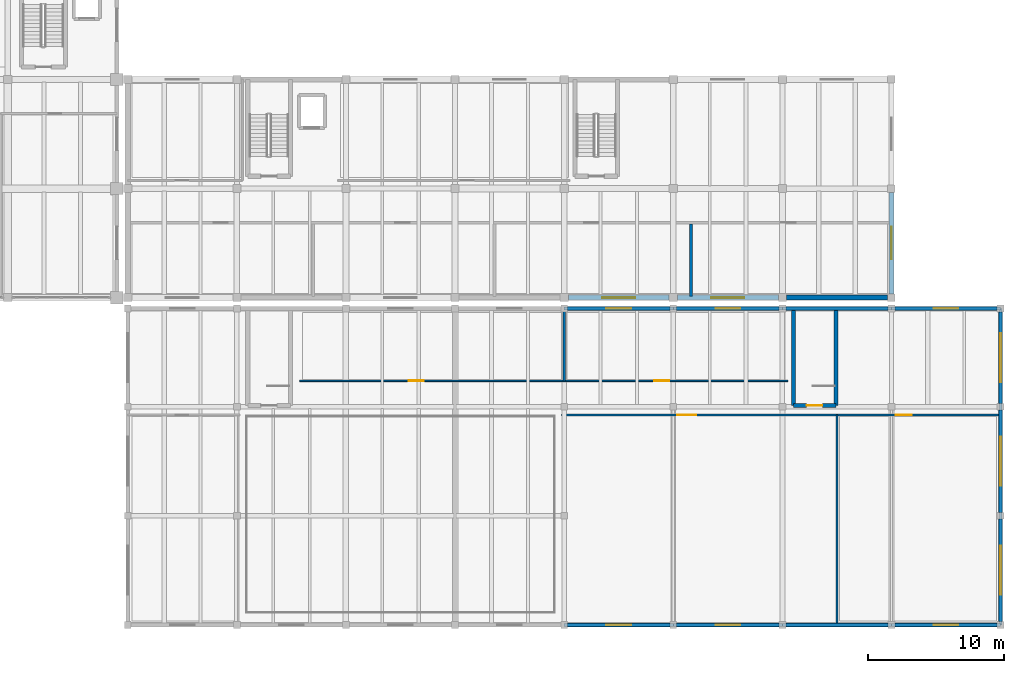
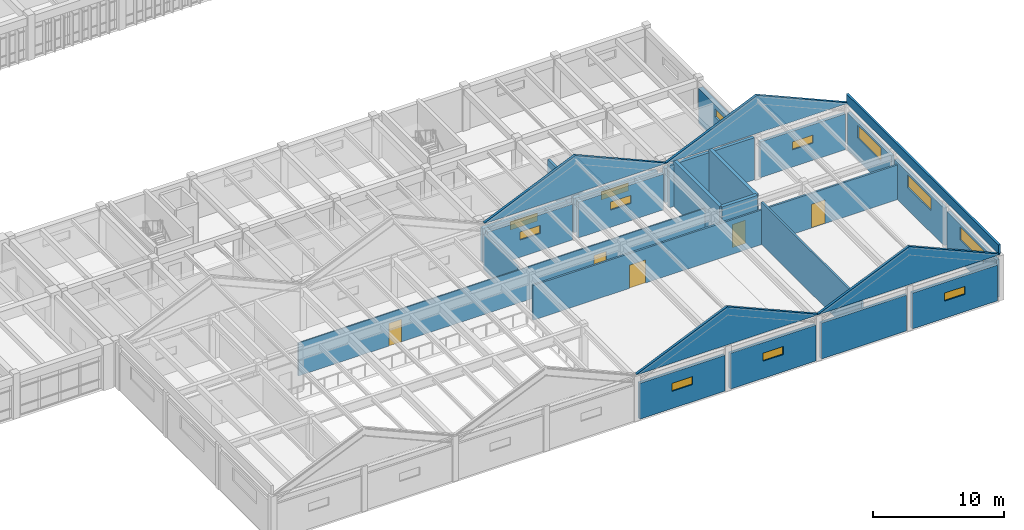
# One storey, part 50 of 67: 28 walls, 12 windows, 5 doors, 17 openings.
"""IFC4 building model written with IfcOpenShell, lengths in metres."""

from ifc_helpers import new_model, si_unit, direction, frame, frame_2d, origin, place, context, subcontext, project, spatial, polyline, rectangle, outline, extrude, material, layer, layer_set, type_object, element, fill, save


model = new_model("IFC4")

# Units and contexts
model_context = context("Model", 3, precision=1e-05, world=origin(), true_north=direction((0.0, 1.0)))
body_context = subcontext(model_context, "Body", "Model", "MODEL_VIEW")
ifc_project = project(units=[si_unit("LENGTHUNIT", "METRE"), si_unit("AREAUNIT", "SQUARE_METRE"), si_unit("VOLUMEUNIT", "CUBIC_METRE"), si_unit("PLANEANGLEUNIT", "RADIAN"), si_unit("MASSUNIT", "GRAM", prefix="KILO")], contexts=[model_context])

# Site, building, storey
site_placement = place(None, origin())
site = spatial("IfcSite", under=ifc_project, at=site_placement, CompositionType="ELEMENT")
building_placement = place(site_placement, origin())
building = spatial("IfcBuilding", under=site, at=building_placement, Name="Tlaxcora Railside Police Headquarters", CompositionType="ELEMENT")
storey_placement = place(building_placement, frame((0.0, 0.0, 4.800048828125)))
storey = spatial("IfcBuildingStorey", under=building, at=storey_placement, Name="L01", CompositionType="ELEMENT", Elevation=4.800048828125)

# Wall
ifc_material_1 = material(Name="Gypsum acoustic partition board")
ifc_layer_1 = layer(ifc_material_1, 0.16796875, Name="Gypsum acoustic partition board")
ifc_layer_set_1 = layer_set([ifc_layer_1], Name="Gypsum acoustic partition board")
wall_type_1 = type_object("IfcWallType", Name="Interior Partition Wall IW-31", PredefinedType="PARTITIONING", material=ifc_layer_set_1)
wall_1_placement = place(storey_placement, frame((134.800048828125, 29.89990234375, 0.0), z_axis=(0.0, 0.0, 1.0), x_axis=(0.0, 1.0, 0.0)))
element("IfcWall", 1, at=wall_1_placement, inside=storey, type_object=wall_type_1, Name="V3 L01 interior partition 91", PredefinedType="PARTITIONING", context=body_context, shape_type="SweptSolid", body=[
    extrude(rectangle(XDim=5.22021484375, YDim=0.16796875, at=frame_2d((2.610107421875, 0.0))), origin(), (0.0, 0.0, 1.0), 3.31787109375),
])

# Wall, openings, doors
ifc_layer_2 = layer(ifc_material_1, 0.10009765625, Name="Gypsum acoustic partition board")
ifc_layer_set_2 = layer_set([ifc_layer_2], Name="Gypsum acoustic partition board")
wall_type_2 = type_object("IfcWallType", Name="Interior Partition Wall IW-45", PredefinedType="PARTITIONING", material=ifc_layer_set_2)
wall_2_placement = place(storey_placement, frame((115.39990234375, 29.89990234375, 0.0), z_axis=(0.0, 0.0, 1.0), x_axis=(1.0, 0.0, 0.0)))
wall_2 = element("IfcWall", 2, at=wall_2_placement, inside=storey, type_object=wall_type_2, Name="V3 L01 interior partition 90", PredefinedType="PARTITIONING", context=body_context, shape_type="SweptSolid", body=[
    extrude(rectangle(XDim=35.800048828125, YDim=0.10009765625, at=frame_2d((17.89990234375, 0.0))), origin(), (0.0, 0.0, 1.0), 3.06591796875),
])
opening_1_placement = place(wall_2_placement, frame((8.0, 0.0, 0.0)))
opening_1 = element("IfcOpeningElement", 3, at=opening_1_placement, cuts=wall_2, Name="Opening D-L01-132", PredefinedType="OPENING", context=body_context, shape_type="SweptSolid", body=[
    extrude(rectangle(XDim=1.10009765625, YDim=2.10009765625, at=frame_2d((0.550048828125, 1.050048828125))), frame((0.0, 0.06005859375, 0.0), z_axis=(0.0, -1.0, 0.0), x_axis=(1.0, 0.0, 0.0)), (0.0, 0.0, 1.0), 0.1201171875),
])
opening_2_placement = place(wall_2_placement, frame((26.0, 0.0, 0.0)))
opening_2 = element("IfcOpeningElement", 4, at=opening_2_placement, cuts=wall_2, Name="Opening D-L01-133", PredefinedType="OPENING", context=body_context, shape_type="SweptSolid", body=[
    extrude(rectangle(XDim=1.10009765625, YDim=2.10009765625, at=frame_2d((0.550048828125, 1.050048828125))), frame((0.0, 0.06005859375, 0.0), z_axis=(0.0, -1.0, 0.0), x_axis=(1.0, 0.0, 0.0)), (0.0, 0.0, 1.0), 0.1201171875),
])
ifc_material_2 = material(Name="Steel ASTM A992 Grade 50", Category="steel")
door_type_1 = type_object("IfcDoorType", Name="Swing or Sliding Personnel Door ID-66", OperationType="NOTDEFINED", PredefinedType="DOOR", material=ifc_material_2)
door_1_placement = place(opening_1_placement, origin())
door_1 = element("IfcDoor", 5, at=door_1_placement, inside=storey, type_object=door_type_1, Name="V3 L01 door D-L01-132", OperationType="SINGLE_SWING_LEFT", OverallHeight=2.10009765625, OverallWidth=1.10009765625, PredefinedType="DOOR", context=body_context, shape_type="SweptSolid", body=[
    extrude(rectangle(XDim=1.10009765625, YDim=2.10009765625, at=frame_2d((0.550048828125, 1.050048828125))), frame((0.0, 0.02490234375, 0.0), z_axis=(0.0, -1.0, 0.0), x_axis=(1.0, 0.0, 0.0)), (0.0, 0.0, 1.0), 0.050048828125),
])
fill(opening_1, door_1)
door_2_placement = place(opening_2_placement, origin())
door_2 = element("IfcDoor", 6, at=door_2_placement, inside=storey, type_object=door_type_1, Name="V3 L01 door D-L01-133", OperationType="SINGLE_SWING_RIGHT", OverallHeight=2.10009765625, OverallWidth=1.10009765625, PredefinedType="DOOR", context=body_context, shape_type="SweptSolid", body=[
    extrude(rectangle(XDim=1.10009765625, YDim=2.10009765625, at=frame_2d((0.550048828125, 1.050048828125))), frame((0.0, 0.02490234375, 0.0), z_axis=(0.0, -1.0, 0.0), x_axis=(1.0, 0.0, 0.0)), (0.0, 0.0, 1.0), 0.050048828125),
])
fill(opening_2, door_2)

# Walls
ifc_layer_3 = layer(ifc_material_1, 0.18994140625, Name="Gypsum acoustic partition board")
ifc_layer_set_3 = layer_set([ifc_layer_3], Name="Gypsum acoustic partition board")
wall_type_3 = type_object("IfcWallType", Name="Interior Partition Wall IW-72", PredefinedType="PARTITIONING", material=ifc_layer_set_3)
wall_3_placement = place(storey_placement, frame((144.095947265625, 36.080078125, 0.0), z_axis=(0.0, 0.0, 1.0), x_axis=(0.0, 1.0, 0.0)))
element("IfcWall", 7, at=wall_3_placement, inside=storey, type_object=wall_type_3, Name="V7 L01 interior partition 94", PredefinedType="PARTITIONING", context=body_context, shape_type="SweptSolid", body=[
    extrude(rectangle(XDim=5.31982421875, YDim=0.18994140625, at=frame_2d((2.659912109375, 0.0))), origin(), (0.0, 0.0, 1.0), 3.14501953125),
])
ifc_layer_4 = layer(ifc_material_1, 0.159912109375, Name="Gypsum acoustic partition board")
ifc_layer_set_4 = layer_set([ifc_layer_4], Name="Gypsum acoustic partition board")
wall_type_4 = type_object("IfcWallType", Name="Interior Partition Wall IW-73", PredefinedType="PARTITIONING", material=ifc_layer_set_4)
wall_4_placement = place(storey_placement, frame((154.800048828125, 12.080078125, 0.0), z_axis=(0.0, 0.0, 1.0), x_axis=(0.0, 1.0, 0.0)))
element("IfcWall", 8, at=wall_4_placement, inside=storey, type_object=wall_type_4, Name="V3 L01 interior partition 86", PredefinedType="PARTITIONING", context=body_context, shape_type="SweptSolid", body=[
    extrude(rectangle(XDim=15.31982421875, YDim=0.159912109375, at=frame_2d((7.659912109375, 0.0))), origin(), (0.0, 0.0, 1.0), 3.909912109375),
])

# Wall, openings, doors
wall_5_placement = place(storey_placement, frame((134.60009765625, 27.39990234375, 0.0), z_axis=(0.0, 0.0, 1.0), x_axis=(1.0, 0.0, 0.0)))
wall_5 = element("IfcWall", 9, at=wall_5_placement, inside=storey, type_object=wall_type_4, Name="V3 L01 interior partition 87", PredefinedType="PARTITIONING", context=body_context, shape_type="SweptSolid", body=[
    extrude(rectangle(XDim=32.119873046875, YDim=0.159912109375, at=frame_2d((16.06005859375, 0.0))), origin(), (0.0, 0.0, 1.0), 3.22900390625),
])
opening_3_placement = place(wall_5_placement, frame((8.5, 0.0, 0.0)))
opening_3 = element("IfcOpeningElement", 10, at=opening_3_placement, cuts=wall_5, Name="Opening D-L01-129", PredefinedType="OPENING", context=body_context, shape_type="SweptSolid", body=[
    extrude(rectangle(XDim=1.39990234375, YDim=2.14990234375, at=frame_2d((0.699951171875, 1.074951171875))), frame((0.0, 0.08984375, 0.0), z_axis=(0.0, -1.0, 0.0), x_axis=(1.0, 0.0, 0.0)), (0.0, 0.0, 1.0), 0.179931640625),
])
opening_4_placement = place(wall_5_placement, frame((24.5, 0.0, 0.0)))
opening_4 = element("IfcOpeningElement", 11, at=opening_4_placement, cuts=wall_5, Name="Opening D-L01-130", PredefinedType="OPENING", context=body_context, shape_type="SweptSolid", body=[
    extrude(rectangle(XDim=1.199951171875, YDim=2.199951171875, at=frame_2d((0.60009765625, 1.10009765625))), frame((0.0, 0.08984375, 0.0), z_axis=(0.0, -1.0, 0.0), x_axis=(1.0, 0.0, 0.0)), (0.0, 0.0, 1.0), 0.179931640625),
])
door_type_2 = type_object("IfcDoorType", Name="Swing or Sliding Personnel Door ID-65", OperationType="NOTDEFINED", PredefinedType="DOOR", material=ifc_material_2)
door_3_placement = place(opening_4_placement, origin())
door_3 = element("IfcDoor", 12, at=door_3_placement, inside=storey, type_object=door_type_2, Name="V3 L01 door D-L01-130", OperationType="DOUBLE_DOOR_SINGLE_SWING", OverallHeight=2.199951171875, OverallWidth=1.199951171875, PredefinedType="DOOR", context=body_context, shape_type="SweptSolid", body=[
    extrude(rectangle(XDim=1.199951171875, YDim=2.199951171875, at=frame_2d((0.60009765625, 1.10009765625))), frame((0.0, 0.02490234375, 0.0), z_axis=(0.0, -1.0, 0.0), x_axis=(1.0, 0.0, 0.0)), (0.0, 0.0, 1.0), 0.050048828125),
])
fill(opening_4, door_3)
door_type_3 = type_object("IfcDoorType", Name="Swing or Sliding Personnel Door ID-97", OperationType="NOTDEFINED", PredefinedType="DOOR", material=ifc_material_2)
door_4_placement = place(opening_3_placement, origin())
door_4 = element("IfcDoor", 13, at=door_4_placement, inside=storey, type_object=door_type_3, Name="V3 L01 door D-L01-129", OperationType="DOUBLE_DOOR_SINGLE_SWING", OverallHeight=2.14990234375, OverallWidth=1.39990234375, PredefinedType="DOOR", context=body_context, shape_type="SweptSolid", body=[
    extrude(rectangle(XDim=1.39990234375, YDim=2.14990234375, at=frame_2d((0.699951171875, 1.074951171875))), frame((0.0, 0.02490234375, 0.0), z_axis=(0.0, -1.0, 0.0), x_axis=(1.0, 0.0, 0.0)), (0.0, 0.0, 1.0), 0.050048828125),
])
fill(opening_3, door_4)

# Wall
ifc_material_3 = material(Name="Precast concrete C40/50", Category="concrete")
ifc_layer_5 = layer(ifc_material_3, 0.179931640625, Name="Precast concrete C40/50")
ifc_layer_set_5 = layer_set([ifc_layer_5], Name="Precast concrete C40/50")
wall_type_5 = type_object("IfcWallType", Name="Roof Parapet Wall EW-45", PredefinedType="PARAPET", material=ifc_layer_set_5)
wall_6_placement = place(storey_placement, frame((166.800048828125, 12.0, 4.199951171875), z_axis=(0.0, 0.0, 1.0), x_axis=(0.0, 1.0, 0.0)))
element("IfcWall", 14, at=wall_6_placement, inside=storey, type_object=wall_type_5, Name="Roof parapet L01-04", PredefinedType="PARAPET", context=body_context, shape_type="SweptSolid", body=[
    extrude(rectangle(XDim=23.199951171875, YDim=0.179931640625, at=frame_2d((11.60009765625, 0.0))), origin(), (0.0, 0.0, 1.0), 0.85009765625),
])

# Wall, opening, door
ifc_material_4 = material(Name="Concrete C40/50", Category="concrete")
ifc_layer_6 = layer(ifc_material_4, 0.300048828125, Name="Concrete C40/50")
ifc_layer_set_6 = layer_set([ifc_layer_6], Name="Concrete C40/50")
wall_type_6 = type_object("IfcWallType", Name="Shear Core Wall IW-28", PredefinedType="SHEAR", material=ifc_layer_set_6)
wall_7_placement = place(storey_placement, frame((151.60009765625, 28.10009765625, 0.0), z_axis=(0.0, 0.0, 1.0), x_axis=(1.0, 0.0, 0.0)))
wall_7 = element("IfcWall", 15, at=wall_7_placement, inside=storey, type_object=wall_type_6, Name="CORE-C8B L01 stair core wall S", PredefinedType="SHEAR", context=body_context, shape_type="SweptSolid", body=[
    extrude(rectangle(XDim=3.119873046875, YDim=0.300048828125, at=frame_2d((1.56005859375, 0.0))), origin(), (0.0, 0.0, 1.0), 4.199951171875),
])
opening_5_placement = place(wall_7_placement, frame((0.985107421875, 0.0, 0.0)))
opening_5 = element("IfcOpeningElement", 16, at=opening_5_placement, cuts=wall_7, Name="Opening SD-L01-058", PredefinedType="OPENING", context=body_context, shape_type="SweptSolid", body=[
    extrude(rectangle(XDim=1.14990234375, YDim=2.14990234375, at=frame_2d((0.574951171875, 1.074951171875))), frame((0.0, 0.16015625, 0.0), z_axis=(0.0, -1.0, 0.0), x_axis=(1.0, 0.0, 0.0)), (0.0, 0.0, 1.0), 0.320068359375),
])
door_type_4 = type_object("IfcDoorType", Name="Swing or Sliding Personnel Door ID-73", OperationType="NOTDEFINED", PredefinedType="DOOR", material=ifc_material_2)
door_5_placement = place(opening_5_placement, origin())
door_5 = element("IfcDoor", 17, at=door_5_placement, inside=storey, type_object=door_type_4, Name="Stair ST12 L01 enclosure fire door", OperationType="SINGLE_SWING_RIGHT", OverallHeight=2.14990234375, OverallWidth=1.14990234375, PredefinedType="DOOR", context=body_context, shape_type="SweptSolid", body=[
    extrude(rectangle(XDim=1.14990234375, YDim=2.14990234375, at=frame_2d((0.574951171875, 1.074951171875))), frame((0.0, 0.02490234375, 0.0), z_axis=(0.0, -1.0, 0.0), x_axis=(1.0, 0.0, 0.0)), (0.0, 0.0, 1.0), 0.050048828125),
])
fill(opening_5, door_5)

# Walls
for number, where, z_axis, x_axis, name in (
    (18, (154.719970703125, 28.10009765625, 0.0), (0.0, 0.0, 1.0), (0.0, 1.0, 0.0), "CORE-C8B L01 stair core wall E"),
    (19, (151.60009765625, 35.199951171875, 0.0), (0.0, 0.0, 1.0), (0.0, -1.0, 0.0), "CORE-C8B L01 stair core wall W"),
):
    element("IfcWall", number, at=place(storey_placement, frame(where, z_axis=z_axis, x_axis=x_axis)), inside=storey, type_object=wall_type_6, Name=name, PredefinedType="SHEAR", context=body_context, shape_type="SweptSolid", body=[
        extrude(rectangle(XDim=7.099853515625, YDim=0.300048828125, at=frame_2d((3.5498046875, 0.0))), origin(), (0.0, 0.0, 1.0), 4.199951171875),
    ])

# Wall, opening, window
ifc_layer_7 = layer(ifc_material_4, 0.3798828125, Name="Concrete C40/50")
ifc_layer_set_7 = layer_set([ifc_layer_7], Name="Concrete C40/50")
wall_type_7 = type_object("IfcWallType", Name="Structural Bearing Wall EW-29", PredefinedType="SOLIDWALL", material=ifc_layer_set_7)
wall_8_placement = place(storey_placement, frame((135.10009765625, 36.0, 0.0), z_axis=(0.0, 0.0, 1.0), x_axis=(1.0, 0.0, 0.0)))
wall_8 = element("IfcWall", 20, at=wall_8_placement, inside=storey, type_object=wall_type_7, Name="V7 L01 exterior wall 0.4", PredefinedType="SOLIDWALL", context=body_context, shape_type="SweptSolid", body=[
    extrude(rectangle(XDim=7.39990234375, YDim=0.3798828125, at=frame_2d((3.699951171875, 0.0))), origin(), (0.0, 0.0, 1.0), 3.159912109375),
])
opening_6_placement = place(wall_8_placement, frame((2.5, 0.0, 2.10009765625)))
opening_6 = element("IfcOpeningElement", 21, at=opening_6_placement, cuts=wall_8, Name="Opening WN-32", PredefinedType="OPENING", context=body_context, shape_type="SweptSolid", body=[
    extrude(rectangle(XDim=2.39990234375, YDim=0.75, at=frame_2d((1.199951171875, 0.375))), frame((0.0, 0.199951171875, 0.0), z_axis=(0.0, -1.0, 0.0), x_axis=(1.0, 0.0, 0.0)), (0.0, 0.0, 1.0), 0.39990234375),
])
ifc_material_5 = material(Name="Thermally broken low-E insulated glazing", Category="glass")
window_type_1 = type_object("IfcWindowType", Name="Exterior Framed or Circular Window WN-32", PartitioningType="SINGLE_PANEL", PredefinedType="WINDOW", material=ifc_material_5)
window_1_placement = place(opening_6_placement, origin())
window_1 = element("IfcWindow", 22, at=window_1_placement, inside=storey, type_object=window_type_1, Name="V7 L01 window 198", OverallHeight=0.75, OverallWidth=2.39990234375, PartitioningType="SINGLE_PANEL", PredefinedType="WINDOW", context=body_context, shape_type="SweptSolid", body=[
    extrude(rectangle(XDim=2.39990234375, YDim=0.75, at=frame_2d((1.199951171875, 0.375))), frame((0.0, 0.030029296875, 0.0), z_axis=(0.0, -1.0, 0.0), x_axis=(1.0, 0.0, 0.0)), (0.0, 0.0, 1.0), 0.06005859375),
])
fill(opening_6, window_1)

wall_9_placement = place(storey_placement, frame((143.10009765625, 36.0, 0.0), z_axis=(0.0, 0.0, 1.0), x_axis=(1.0, 0.0, 0.0)))
wall_9 = element("IfcWall", 23, at=wall_9_placement, inside=storey, type_object=wall_type_7, Name="V7 L01 exterior wall 0.5", PredefinedType="SOLIDWALL", context=body_context, shape_type="SweptSolid", body=[
    extrude(rectangle(XDim=7.39990234375, YDim=0.3798828125, at=frame_2d((3.699951171875, 0.0))), origin(), (0.0, 0.0, 1.0), 3.159912109375),
])
opening_7_placement = place(wall_9_placement, frame((2.5, 0.0, 2.10009765625)))
opening_7 = element("IfcOpeningElement", 24, at=opening_7_placement, cuts=wall_9, Name="Opening WN-32", PredefinedType="OPENING", context=body_context, shape_type="SweptSolid", body=[
    extrude(rectangle(XDim=2.39990234375, YDim=0.75, at=frame_2d((1.199951171875, 0.375))), frame((0.0, 0.199951171875, 0.0), z_axis=(0.0, -1.0, 0.0), x_axis=(1.0, 0.0, 0.0)), (0.0, 0.0, 1.0), 0.39990234375),
])
window_2_placement = place(opening_7_placement, origin())
window_2 = element("IfcWindow", 25, at=window_2_placement, inside=storey, type_object=window_type_1, Name="V7 L01 window 199", OverallHeight=0.75, OverallWidth=2.39990234375, PartitioningType="SINGLE_PANEL", PredefinedType="WINDOW", context=body_context, shape_type="SweptSolid", body=[
    extrude(rectangle(XDim=2.39990234375, YDim=0.75, at=frame_2d((1.199951171875, 0.375))), frame((0.0, 0.030029296875, 0.0), z_axis=(0.0, -1.0, 0.0), x_axis=(1.0, 0.0, 0.0)), (0.0, 0.0, 1.0), 0.06005859375),
])
fill(opening_7, window_2)

# Wall
wall_10_placement = place(storey_placement, frame((151.10009765625, 36.0, 0.0), z_axis=(0.0, 0.0, 1.0), x_axis=(1.0, 0.0, 0.0)))
element("IfcWall", 26, at=wall_10_placement, inside=storey, type_object=wall_type_7, Name="V7 L01 exterior wall 0.6", PredefinedType="SOLIDWALL", context=body_context, shape_type="SweptSolid", body=[
    extrude(rectangle(XDim=7.4248046875, YDim=0.3798828125, at=frame_2d((3.71240234375, 0.0))), origin(), (0.0, 0.0, 1.0), 3.159912109375),
])

# Wall, opening, window
wall_11_placement = place(storey_placement, frame((158.800048828125, 36.27490234375, 0.0), z_axis=(0.0, 0.0, 1.0), x_axis=(0.0, 1.0, 0.0)))
wall_11 = element("IfcWall", 27, at=wall_11_placement, inside=storey, type_object=wall_type_7, Name="V7 L01 exterior wall 1.0", PredefinedType="SOLIDWALL", context=body_context, shape_type="SweptSolid", body=[
    extrude(rectangle(XDim=7.4501953125, YDim=0.3798828125, at=frame_2d((3.72509765625, 0.0))), origin(), (0.0, 0.0, 1.0), 3.260009765625),
])
opening_8_placement = place(wall_11_placement, frame((2.52490234375, 0.0, 2.10009765625)))
opening_8 = element("IfcOpeningElement", 28, at=opening_8_placement, cuts=wall_11, Name="Opening WN-32", PredefinedType="OPENING", context=body_context, shape_type="SweptSolid", body=[
    extrude(rectangle(XDim=2.39990234375, YDim=0.75, at=frame_2d((1.199951171875, 0.375))), frame((0.0, 0.199951171875, 0.0), z_axis=(0.0, -1.0, 0.0), x_axis=(1.0, 0.0, 0.0)), (0.0, 0.0, 1.0), 0.39990234375),
])
window_3_placement = place(opening_8_placement, origin())
window_3 = element("IfcWindow", 29, at=window_3_placement, inside=storey, type_object=window_type_1, Name="V7 L01 window 200", OverallHeight=0.75, OverallWidth=2.39990234375, PartitioningType="SINGLE_PANEL", PredefinedType="WINDOW", context=body_context, shape_type="SweptSolid", body=[
    extrude(rectangle(XDim=2.39990234375, YDim=0.75, at=frame_2d((1.199951171875, 0.375))), frame((0.0, 0.030029296875, 0.0), z_axis=(0.0, -1.0, 0.0), x_axis=(1.0, 0.0, 0.0)), (0.0, 0.0, 1.0), 0.06005859375),
])
fill(opening_8, window_3)

# Walls
ifc_layer_8 = layer(ifc_material_3, 0.215087890625, Name="Precast concrete C40/50")
ifc_layer_set_8 = layer_set([ifc_layer_8], Name="Precast concrete C40/50")
wall_type_8 = type_object("IfcWallType", Name="Structural Bearing Wall EW-34", PredefinedType="SOLIDWALL", material=ifc_layer_set_8)
for number, where, z_axis, x_axis, name in (
    (30, (134.800048828125, 12.0, 4.199951171875), (0.0, 0.0, 1.0), (1.0, 0.0, 0.0), "V3 folded gable end wall S-3"),
    (31, (134.800048828125, 35.199951171875, 4.199951171875), (0.0, 0.0, 1.0), (1.0, 0.0, 0.0), "V3 folded gable end wall N-3"),
    (32, (150.800048828125, 12.0, 4.199951171875), (0.0, 0.0, 1.0), (1.0, 0.0, 0.0), "V3 folded gable end wall S-4"),
    (33, (150.800048828125, 35.199951171875, 4.199951171875), (0.0, 0.0, 1.0), (1.0, 0.0, 0.0), "V3 folded gable end wall N-4"),
):
    element("IfcWall", number, at=place(storey_placement, frame(where, z_axis=z_axis, x_axis=x_axis)), inside=storey, type_object=wall_type_8, Name=name, PredefinedType="SOLIDWALL", context=body_context, shape_type="SweptSolid", body=[
        extrude(outline(polyline([(0.0, 0.0), (16.0, 0.0), (16.0, 0.050048828125), (8.0, 3.550048828125), (0.0, 0.050048828125), (0.0, 0.0)])), frame((0.0, 0.107421875, 0.0), z_axis=(0.0, -1.0, 0.0), x_axis=(1.0, 0.0, 0.0)), (0.0, 0.0, 1.0), 0.215087890625),
    ])

# Wall, opening, window
ifc_material_6 = material(Name="Pressed clay brick masonry", Category="masonry")
ifc_layer_9 = layer(ifc_material_6, 0.27490234375, Name="Pressed clay brick masonry")
ifc_layer_set_9 = layer_set([ifc_layer_9], Name="Pressed clay brick masonry")
wall_type_9 = type_object("IfcWallType", Name="Structural Bearing Wall EW-84", PredefinedType="SOLIDWALL", material=ifc_layer_set_9)
wall_12_placement = place(storey_placement, frame((135.050048828125, 12.0, 0.0), z_axis=(0.0, 0.0, 1.0), x_axis=(1.0, 0.0, 0.0)))
wall_12 = element("IfcWall", 34, at=wall_12_placement, inside=storey, type_object=wall_type_9, Name="V3 L01 exterior wall 0.4", PredefinedType="SOLIDWALL", context=body_context, shape_type="SweptSolid", body=[
    extrude(rectangle(XDim=7.5, YDim=0.27490234375, at=frame_2d((3.75, 0.0))), origin(), (0.0, 0.0, 1.0), 3.3330078125),
])
opening_9_placement = place(wall_12_placement, frame((2.85009765625, 0.0, 1.60009765625)))
opening_9 = element("IfcOpeningElement", 35, at=opening_9_placement, cuts=wall_12, Name="Opening WN-40", PredefinedType="OPENING", context=body_context, shape_type="SweptSolid", body=[
    extrude(rectangle(XDim=1.800048828125, YDim=0.75, at=frame_2d((0.89990234375, 0.375))), frame((0.0, 0.1474609375, 0.0), z_axis=(0.0, -1.0, 0.0), x_axis=(1.0, 0.0, 0.0)), (0.0, 0.0, 1.0), 0.294921875),
])
window_type_2 = type_object("IfcWindowType", Name="Exterior Framed or Circular Window WN-40", PartitioningType="SINGLE_PANEL", PredefinedType="WINDOW", material=ifc_material_5)
window_4_placement = place(opening_9_placement, origin())
window_4 = element("IfcWindow", 36, at=window_4_placement, inside=storey, type_object=window_type_2, Name="V3 L01 window 57", OverallHeight=0.75, OverallWidth=1.800048828125, PartitioningType="SINGLE_PANEL", PredefinedType="WINDOW", context=body_context, shape_type="SweptSolid", body=[
    extrude(rectangle(XDim=1.800048828125, YDim=0.75, at=frame_2d((0.89990234375, 0.375))), frame((0.0, 0.030029296875, 0.0), z_axis=(0.0, -1.0, 0.0), x_axis=(1.0, 0.0, 0.0)), (0.0, 0.0, 1.0), 0.06005859375),
])
fill(opening_9, window_4)

wall_13_placement = place(storey_placement, frame((143.050048828125, 12.0, 0.0), z_axis=(0.0, 0.0, 1.0), x_axis=(1.0, 0.0, 0.0)))
wall_13 = element("IfcWall", 37, at=wall_13_placement, inside=storey, type_object=wall_type_9, Name="V3 L01 exterior wall 0.5", PredefinedType="SOLIDWALL", context=body_context, shape_type="SweptSolid", body=[
    extrude(rectangle(XDim=7.5, YDim=0.27490234375, at=frame_2d((3.75, 0.0))), origin(), (0.0, 0.0, 1.0), 3.3330078125),
])
opening_10_placement = place(wall_13_placement, frame((2.85009765625, 0.0, 1.60009765625)))
opening_10 = element("IfcOpeningElement", 38, at=opening_10_placement, cuts=wall_13, Name="Opening WN-40", PredefinedType="OPENING", context=body_context, shape_type="SweptSolid", body=[
    extrude(rectangle(XDim=1.800048828125, YDim=0.75, at=frame_2d((0.89990234375, 0.375))), frame((0.0, 0.1474609375, 0.0), z_axis=(0.0, -1.0, 0.0), x_axis=(1.0, 0.0, 0.0)), (0.0, 0.0, 1.0), 0.294921875),
])
window_5_placement = place(opening_10_placement, origin())
window_5 = element("IfcWindow", 39, at=window_5_placement, inside=storey, type_object=window_type_2, Name="V3 L01 window 58", OverallHeight=0.75, OverallWidth=1.800048828125, PartitioningType="SINGLE_PANEL", PredefinedType="WINDOW", context=body_context, shape_type="SweptSolid", body=[
    extrude(rectangle(XDim=1.800048828125, YDim=0.75, at=frame_2d((0.89990234375, 0.375))), frame((0.0, 0.030029296875, 0.0), z_axis=(0.0, -1.0, 0.0), x_axis=(1.0, 0.0, 0.0)), (0.0, 0.0, 1.0), 0.06005859375),
])
fill(opening_10, window_5)

# Wall
wall_14_placement = place(storey_placement, frame((151.050048828125, 12.0, 0.0), z_axis=(0.0, 0.0, 1.0), x_axis=(1.0, 0.0, 0.0)))
element("IfcWall", 40, at=wall_14_placement, inside=storey, type_object=wall_type_9, Name="V3 L01 exterior wall 0.6", PredefinedType="SOLIDWALL", context=body_context, shape_type="SweptSolid", body=[
    extrude(rectangle(XDim=7.5, YDim=0.27490234375, at=frame_2d((3.75, 0.0))), origin(), (0.0, 0.0, 1.0), 3.3330078125),
])

# Wall, opening, window
wall_15_placement = place(storey_placement, frame((159.050048828125, 12.0, 0.0), z_axis=(0.0, 0.0, 1.0), x_axis=(1.0, 0.0, 0.0)))
wall_15 = element("IfcWall", 41, at=wall_15_placement, inside=storey, type_object=wall_type_9, Name="V3 L01 exterior wall 0.7", PredefinedType="SOLIDWALL", context=body_context, shape_type="SweptSolid", body=[
    extrude(rectangle(XDim=7.5, YDim=0.27490234375, at=frame_2d((3.75, 0.0))), origin(), (0.0, 0.0, 1.0), 3.3330078125),
])
opening_11_placement = place(wall_15_placement, frame((2.85009765625, 0.0, 1.60009765625)))
opening_11 = element("IfcOpeningElement", 42, at=opening_11_placement, cuts=wall_15, Name="Opening WN-40", PredefinedType="OPENING", context=body_context, shape_type="SweptSolid", body=[
    extrude(rectangle(XDim=1.800048828125, YDim=0.75, at=frame_2d((0.89990234375, 0.375))), frame((0.0, 0.1474609375, 0.0), z_axis=(0.0, -1.0, 0.0), x_axis=(1.0, 0.0, 0.0)), (0.0, 0.0, 1.0), 0.294921875),
])
window_6_placement = place(opening_11_placement, origin())
window_6 = element("IfcWindow", 43, at=window_6_placement, inside=storey, type_object=window_type_2, Name="V3 L01 window 59", OverallHeight=0.75, OverallWidth=1.800048828125, PartitioningType="SINGLE_PANEL", PredefinedType="WINDOW", context=body_context, shape_type="SweptSolid", body=[
    extrude(rectangle(XDim=1.800048828125, YDim=0.75, at=frame_2d((0.89990234375, 0.375))), frame((0.0, 0.030029296875, 0.0), z_axis=(0.0, -1.0, 0.0), x_axis=(1.0, 0.0, 0.0)), (0.0, 0.0, 1.0), 0.06005859375),
])
fill(opening_11, window_6)

wall_16_placement = place(storey_placement, frame((166.800048828125, 12.25, 0.0), z_axis=(0.0, 0.0, 1.0), x_axis=(0.0, 1.0, 0.0)))
wall_16 = element("IfcWall", 44, at=wall_16_placement, inside=storey, type_object=wall_type_9, Name="V3 L01 exterior wall 1.0", PredefinedType="SOLIDWALL", context=body_context, shape_type="SweptSolid", body=[
    extrude(rectangle(XDim=7.5, YDim=0.27490234375, at=frame_2d((3.75, 0.0))), origin(), (0.0, 0.0, 1.0), 3.488037109375),
])
opening_12_placement = place(wall_16_placement, frame((1.949951171875, 0.0, 2.050048828125)))
opening_12 = element("IfcOpeningElement", 45, at=opening_12_placement, cuts=wall_16, Name="Opening WN-77", PredefinedType="OPENING", context=body_context, shape_type="SweptSolid", body=[
    extrude(rectangle(XDim=3.60009765625, YDim=1.199951171875, at=frame_2d((1.800048828125, 0.60009765625))), frame((0.0, 0.1474609375, 0.0), z_axis=(0.0, -1.0, 0.0), x_axis=(1.0, 0.0, 0.0)), (0.0, 0.0, 1.0), 0.294921875),
])
window_type_3 = type_object("IfcWindowType", Name="Exterior Framed or Circular Window WN-77", PartitioningType="SINGLE_PANEL", PredefinedType="WINDOW", material=ifc_material_5)
window_7_placement = place(opening_12_placement, origin())
window_7 = element("IfcWindow", 46, at=window_7_placement, inside=storey, type_object=window_type_3, Name="V3 L01 window 60", OverallHeight=1.199951171875, OverallWidth=3.60009765625, PartitioningType="SINGLE_PANEL", PredefinedType="WINDOW", context=body_context, shape_type="SweptSolid", body=[
    extrude(rectangle(XDim=3.60009765625, YDim=1.199951171875, at=frame_2d((1.800048828125, 0.60009765625))), frame((0.0, 0.030029296875, 0.0), z_axis=(0.0, -1.0, 0.0), x_axis=(1.0, 0.0, 0.0)), (0.0, 0.0, 1.0), 0.06005859375),
])
fill(opening_12, window_7)

wall_17_placement = place(storey_placement, frame((166.800048828125, 20.25, 0.0), z_axis=(0.0, 0.0, 1.0), x_axis=(0.0, 1.0, 0.0)))
wall_17 = element("IfcWall", 47, at=wall_17_placement, inside=storey, type_object=wall_type_9, Name="V3 L01 exterior wall 1.1", PredefinedType="SOLIDWALL", context=body_context, shape_type="SweptSolid", body=[
    extrude(rectangle(XDim=7.5, YDim=0.27490234375, at=frame_2d((3.75, 0.0))), origin(), (0.0, 0.0, 1.0), 3.488037109375),
])
opening_13_placement = place(wall_17_placement, frame((1.949951171875, 0.0, 2.050048828125)))
opening_13 = element("IfcOpeningElement", 48, at=opening_13_placement, cuts=wall_17, Name="Opening WN-77", PredefinedType="OPENING", context=body_context, shape_type="SweptSolid", body=[
    extrude(rectangle(XDim=3.60009765625, YDim=1.199951171875, at=frame_2d((1.800048828125, 0.60009765625))), frame((0.0, 0.1474609375, 0.0), z_axis=(0.0, -1.0, 0.0), x_axis=(1.0, 0.0, 0.0)), (0.0, 0.0, 1.0), 0.294921875),
])
window_8_placement = place(opening_13_placement, origin())
window_8 = element("IfcWindow", 49, at=window_8_placement, inside=storey, type_object=window_type_3, Name="V3 L01 window 61", OverallHeight=1.199951171875, OverallWidth=3.60009765625, PartitioningType="SINGLE_PANEL", PredefinedType="WINDOW", context=body_context, shape_type="SweptSolid", body=[
    extrude(rectangle(XDim=3.60009765625, YDim=1.199951171875, at=frame_2d((1.800048828125, 0.60009765625))), frame((0.0, 0.030029296875, 0.0), z_axis=(0.0, -1.0, 0.0), x_axis=(1.0, 0.0, 0.0)), (0.0, 0.0, 1.0), 0.06005859375),
])
fill(opening_13, window_8)

wall_18_placement = place(storey_placement, frame((166.800048828125, 28.25, 0.0), z_axis=(0.0, 0.0, 1.0), x_axis=(0.0, 1.0, 0.0)))
wall_18 = element("IfcWall", 50, at=wall_18_placement, inside=storey, type_object=wall_type_9, Name="V3 L01 exterior wall 1.2", PredefinedType="SOLIDWALL", context=body_context, shape_type="SweptSolid", body=[
    extrude(rectangle(XDim=6.699951171875, YDim=0.27490234375, at=frame_2d((3.35009765625, 0.0))), origin(), (0.0, 0.0, 1.0), 3.488037109375),
])
opening_14_placement = place(wall_18_placement, frame((1.550048828125, 0.0, 2.050048828125)))
opening_14 = element("IfcOpeningElement", 51, at=opening_14_placement, cuts=wall_18, Name="Opening WN-77", PredefinedType="OPENING", context=body_context, shape_type="SweptSolid", body=[
    extrude(rectangle(XDim=3.60009765625, YDim=1.199951171875, at=frame_2d((1.800048828125, 0.60009765625))), frame((0.0, 0.1474609375, 0.0), z_axis=(0.0, -1.0, 0.0), x_axis=(1.0, 0.0, 0.0)), (0.0, 0.0, 1.0), 0.294921875),
])
window_9_placement = place(opening_14_placement, origin())
window_9 = element("IfcWindow", 52, at=window_9_placement, inside=storey, type_object=window_type_3, Name="V3 L01 window 62", OverallHeight=1.199951171875, OverallWidth=3.60009765625, PartitioningType="SINGLE_PANEL", PredefinedType="WINDOW", context=body_context, shape_type="SweptSolid", body=[
    extrude(rectangle(XDim=3.60009765625, YDim=1.199951171875, at=frame_2d((1.800048828125, 0.60009765625))), frame((0.0, 0.030029296875, 0.0), z_axis=(0.0, -1.0, 0.0), x_axis=(1.0, 0.0, 0.0)), (0.0, 0.0, 1.0), 0.06005859375),
])
fill(opening_14, window_9)

wall_19_placement = place(storey_placement, frame((166.550048828125, 35.199951171875, 0.0), z_axis=(0.0, 0.0, 1.0), x_axis=(-1.0, 0.0, 0.0)))
wall_19 = element("IfcWall", 53, at=wall_19_placement, inside=storey, type_object=wall_type_9, Name="V3 L01 exterior wall 2.0", PredefinedType="SOLIDWALL", context=body_context, shape_type="SweptSolid", body=[
    extrude(rectangle(XDim=7.5, YDim=0.27490234375, at=frame_2d((3.75, 0.0))), origin(), (0.0, 0.0, 1.0), 3.3330078125),
])
opening_15_placement = place(wall_19_placement, frame((2.85009765625, 0.0, 1.60009765625)))
opening_15 = element("IfcOpeningElement", 54, at=opening_15_placement, cuts=wall_19, Name="Opening WN-40", PredefinedType="OPENING", context=body_context, shape_type="SweptSolid", body=[
    extrude(rectangle(XDim=1.800048828125, YDim=0.75, at=frame_2d((0.89990234375, 0.375))), frame((0.0, 0.1474609375, 0.0), z_axis=(0.0, -1.0, 0.0), x_axis=(1.0, 0.0, 0.0)), (0.0, 0.0, 1.0), 0.294921875),
])
window_10_placement = place(opening_15_placement, origin())
window_10 = element("IfcWindow", 55, at=window_10_placement, inside=storey, type_object=window_type_2, Name="V3 L01 window 63", OverallHeight=0.75, OverallWidth=1.800048828125, PartitioningType="SINGLE_PANEL", PredefinedType="WINDOW", context=body_context, shape_type="SweptSolid", body=[
    extrude(rectangle(XDim=1.800048828125, YDim=0.75, at=frame_2d((0.89990234375, 0.375))), frame((0.0, 0.030029296875, 0.0), z_axis=(0.0, -1.0, 0.0), x_axis=(1.0, 0.0, 0.0)), (0.0, 0.0, 1.0), 0.06005859375),
])
fill(opening_15, window_10)

# Wall
wall_20_placement = place(storey_placement, frame((158.550048828125, 35.199951171875, 0.0), z_axis=(0.0, 0.0, 1.0), x_axis=(-1.0, 0.0, 0.0)))
element("IfcWall", 56, at=wall_20_placement, inside=storey, type_object=wall_type_9, Name="V3 L01 exterior wall 2.1", PredefinedType="SOLIDWALL", context=body_context, shape_type="SweptSolid", body=[
    extrude(rectangle(XDim=7.5, YDim=0.27490234375, at=frame_2d((3.75, 0.0))), origin(), (0.0, 0.0, 1.0), 3.909912109375),
])

# Wall, opening, window
wall_21_placement = place(storey_placement, frame((150.550048828125, 35.199951171875, 0.0), z_axis=(0.0, 0.0, 1.0), x_axis=(-1.0, 0.0, 0.0)))
wall_21 = element("IfcWall", 57, at=wall_21_placement, inside=storey, type_object=wall_type_9, Name="V3 L01 exterior wall 2.2", PredefinedType="SOLIDWALL", context=body_context, shape_type="SweptSolid", body=[
    extrude(rectangle(XDim=7.5, YDim=0.27490234375, at=frame_2d((3.75, 0.0))), origin(), (0.0, 0.0, 1.0), 3.3330078125),
])
opening_16_placement = place(wall_21_placement, frame((2.85009765625, 0.0, 1.60009765625)))
opening_16 = element("IfcOpeningElement", 58, at=opening_16_placement, cuts=wall_21, Name="Opening WN-40", PredefinedType="OPENING", context=body_context, shape_type="SweptSolid", body=[
    extrude(rectangle(XDim=1.800048828125, YDim=0.75, at=frame_2d((0.89990234375, 0.375))), frame((0.0, 0.1474609375, 0.0), z_axis=(0.0, -1.0, 0.0), x_axis=(1.0, 0.0, 0.0)), (0.0, 0.0, 1.0), 0.294921875),
])
window_11_placement = place(opening_16_placement, origin())
window_11 = element("IfcWindow", 59, at=window_11_placement, inside=storey, type_object=window_type_2, Name="V3 L01 window 64", OverallHeight=0.75, OverallWidth=1.800048828125, PartitioningType="SINGLE_PANEL", PredefinedType="WINDOW", context=body_context, shape_type="SweptSolid", body=[
    extrude(rectangle(XDim=1.800048828125, YDim=0.75, at=frame_2d((0.89990234375, 0.375))), frame((0.0, 0.030029296875, 0.0), z_axis=(0.0, -1.0, 0.0), x_axis=(1.0, 0.0, 0.0)), (0.0, 0.0, 1.0), 0.06005859375),
])
fill(opening_16, window_11)

wall_22_placement = place(storey_placement, frame((142.550048828125, 35.199951171875, 0.0), z_axis=(0.0, 0.0, 1.0), x_axis=(-1.0, 0.0, 0.0)))
wall_22 = element("IfcWall", 60, at=wall_22_placement, inside=storey, type_object=wall_type_9, Name="V3 L01 exterior wall 2.3", PredefinedType="SOLIDWALL", context=body_context, shape_type="SweptSolid", body=[
    extrude(rectangle(XDim=7.5, YDim=0.27490234375, at=frame_2d((3.75, 0.0))), origin(), (0.0, 0.0, 1.0), 3.3330078125),
])
opening_17_placement = place(wall_22_placement, frame((2.85009765625, 0.0, 1.60009765625)))
opening_17 = element("IfcOpeningElement", 61, at=opening_17_placement, cuts=wall_22, Name="Opening WN-40", PredefinedType="OPENING", context=body_context, shape_type="SweptSolid", body=[
    extrude(rectangle(XDim=1.800048828125, YDim=0.75, at=frame_2d((0.89990234375, 0.375))), frame((0.0, 0.1474609375, 0.0), z_axis=(0.0, -1.0, 0.0), x_axis=(1.0, 0.0, 0.0)), (0.0, 0.0, 1.0), 0.294921875),
])
window_12_placement = place(opening_17_placement, origin())
window_12 = element("IfcWindow", 62, at=window_12_placement, inside=storey, type_object=window_type_2, Name="V3 L01 window 65", OverallHeight=0.75, OverallWidth=1.800048828125, PartitioningType="SINGLE_PANEL", PredefinedType="WINDOW", context=body_context, shape_type="SweptSolid", body=[
    extrude(rectangle(XDim=1.800048828125, YDim=0.75, at=frame_2d((0.89990234375, 0.375))), frame((0.0, 0.030029296875, 0.0), z_axis=(0.0, -1.0, 0.0), x_axis=(1.0, 0.0, 0.0)), (0.0, 0.0, 1.0), 0.06005859375),
])
fill(opening_17, window_12)

save(model, "model.ifc")
